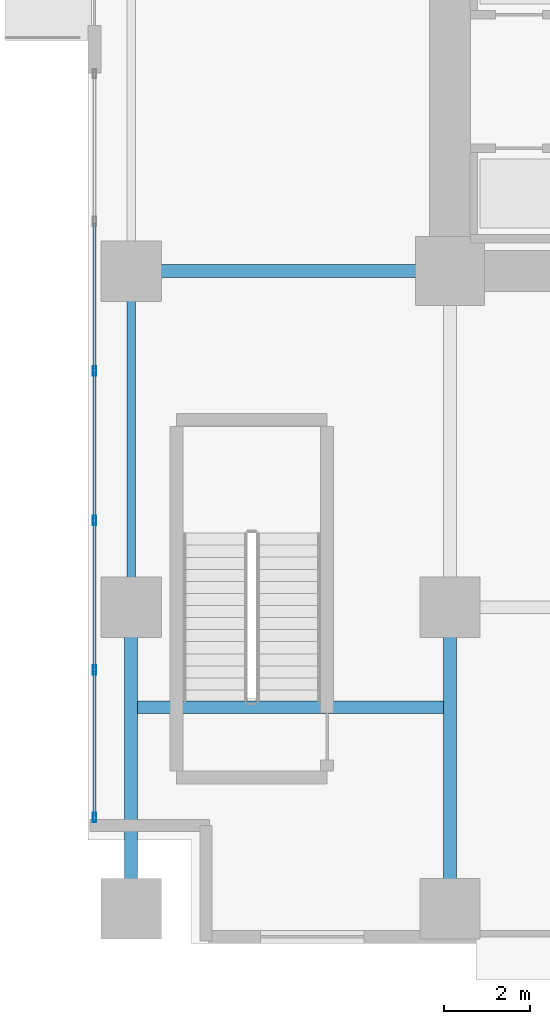
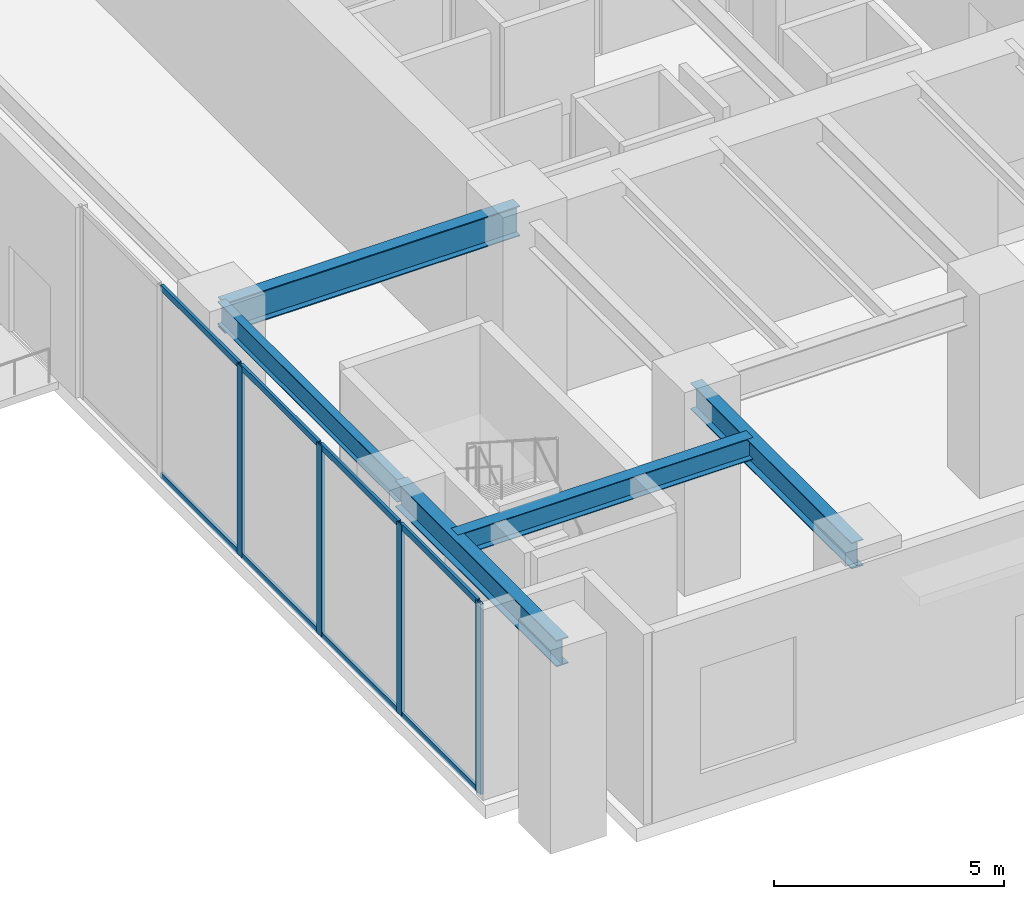
# One storey, part 2 of 28: 12 members, 5 beams, 1 element without a shape of its own.
"""IFC4 building model written with IfcOpenShell, lengths in metres."""

from ifc_helpers import new_model, si_unit, direction, frame, origin, origin_2d, place, context, subcontext, project, spatial, hollow_rectangle, i_section, extrude, source, transform, mapped, material, layer, layer_set, material_profile, profile_set, type_object, type_shapes, element, aggregate, save


model = new_model("IFC4")

# Units and contexts
model_context = context("Model", 3, precision=1e-05, world=origin(), true_north=direction((0.0, 1.0)))
body_context = subcontext(model_context, "Body", "Model", "MODEL_VIEW")
ifc_project = project(units=[si_unit("LENGTHUNIT", "METRE"), si_unit("AREAUNIT", "SQUARE_METRE"), si_unit("VOLUMEUNIT", "CUBIC_METRE"), si_unit("PLANEANGLEUNIT", "RADIAN"), si_unit("MASSUNIT", "GRAM", prefix="KILO")], contexts=[model_context])

# Site, building, storey
site_placement = place(None, origin())
site = spatial("IfcSite", under=ifc_project, at=site_placement, CompositionType="ELEMENT")
building_placement = place(site_placement, origin())
building = spatial("IfcBuilding", under=site, at=building_placement, Name="Haelvirn Gate Laboratories", CompositionType="ELEMENT")
storey_placement = place(building_placement, origin())
storey = spatial("IfcBuildingStorey", under=building, at=storey_placement, Name="L01", CompositionType="ELEMENT", Elevation=0.0)

# Beams
ifc_material_1 = material(Name="Steel SM420", Category="steel")
ifc_material_profile_1 = material_profile(ifc_material_1, i_section(OverallWidth=0.300048828125, OverallDepth=0.800048828125, WebThickness=0.013916015625, FlangeThickness=0.02587890625, at=origin_2d()), Name="H-800x300x14x26")
ifc_profile_set_1 = profile_set([ifc_material_profile_1], Name="Steel SM420")
beam_type_1 = type_object("IfcBeamType", Name="BM-G-800", PredefinedType="BEAM", material=ifc_profile_set_1)
shared_shape_1 = source(origin(), body_context, "Body", "SweptSolid", [
    extrude(i_section(OverallWidth=0.300048828125, OverallDepth=0.800048828125, WebThickness=0.013916015625, FlangeThickness=0.02587890625, at=origin_2d()), origin(), (0.0, 0.0, 1.0), 7.39990234375),
])
type_shapes(beam_type_1, [shared_shape_1])
beam_1_placement = place(storey_placement, frame((0.0, 14.800048828125, 4.64990234375), z_axis=(1.0, 0.0, 0.0), x_axis=(0.0, 1.0, 0.0)))
element("IfcBeam", 1, at=beam_1_placement, inside=storey, type_object=beam_type_1, Name="L01 Primary Girder Y14.8 (0.0-7.4)", PredefinedType="BEAM", context=body_context, shape_type="MappedRepresentation", body=[
    mapped(shared_shape_1, transform((0.0, 0.0, 0.0), scale=1.0)),
])
ifc_material_2 = material(Name="Steel SM355", Category="steel")
ifc_material_profile_2 = material_profile(ifc_material_2, i_section(OverallWidth=0.199951171875, OverallDepth=0.60009765625, WebThickness=0.010986328125, FlangeThickness=0.01708984375, at=origin_2d()), Name="H-600x200x11x17")
ifc_profile_set_2 = profile_set([ifc_material_profile_2], Name="Steel SM355")
beam_type_2 = type_object("IfcBeamType", Name="BM-SP-600", PredefinedType="SPANDREL", material=ifc_profile_set_2)
shared_shape_2 = source(origin(), body_context, "Body", "SweptSolid", [
    extrude(i_section(OverallWidth=0.199951171875, OverallDepth=0.60009765625, WebThickness=0.010986328125, FlangeThickness=0.01708984375, at=origin_2d()), origin(), (0.0, 0.0, 1.0), 7.800048828125),
])
type_shapes(beam_type_2, [shared_shape_2])
beam_2_placement = place(storey_placement, frame((0.0, 7.0, 4.75), z_axis=(0.0, 1.0, 0.0), x_axis=(-1.0, 0.0, 0.0)))
element("IfcBeam", 2, at=beam_2_placement, inside=storey, type_object=beam_type_2, Name="L01 Perimeter Spandrel X0.0 (7.0-14.8)", PredefinedType="SPANDREL", context=body_context, shape_type="MappedRepresentation", body=[
    mapped(shared_shape_2, transform((0.0, 0.0, 0.0), scale=1.0)),
])
ifc_material_profile_3 = material_profile(ifc_material_2, i_section(OverallWidth=0.300048828125, OverallDepth=0.699951171875, WebThickness=0.012939453125, FlangeThickness=0.02392578125, at=origin_2d()), Name="H-700x300x13x24")
ifc_profile_set_3 = profile_set([ifc_material_profile_3], Name="Steel SM355")
beam_type_3 = type_object("IfcBeamType", Name="BM-G-700", PredefinedType="BEAM", material=ifc_profile_set_3)
shared_shape_3 = source(origin(), body_context, "Body", "SweptSolid", [
    extrude(i_section(OverallWidth=0.300048828125, OverallDepth=0.699951171875, WebThickness=0.012939453125, FlangeThickness=0.02392578125, at=origin_2d()), origin(), (0.0, 0.0, 1.0), 7.0),
])
type_shapes(beam_type_3, [shared_shape_3])
for number, where, z_axis, x_axis, name in (
    (3, (0.0, 0.0, 4.699951171875), (0.0, 1.0, 0.0), (-1.0, 0.0, 0.0), "L01 Stair ST3 West Trimmer Girder"),
    (4, (7.39990234375, 0.0, 4.699951171875), (0.0, 1.0, 0.0), (-1.0, 0.0, 0.0), "L01 Stair ST3 East Trimmer Girder"),
):
    element("IfcBeam", number, at=place(storey_placement, frame(where, z_axis=z_axis, x_axis=x_axis)), inside=storey, type_object=beam_type_3, Name=name, PredefinedType="BEAM", context=body_context, shape_type="MappedRepresentation", body=[
        mapped(shared_shape_3, transform((0.0, 0.0, 0.0), scale=1.0)),
    ])
ifc_material_profile_4 = material_profile(ifc_material_2, i_section(OverallWidth=0.300048828125, OverallDepth=0.587890625, WebThickness=0.011962890625, FlangeThickness=0.02001953125, at=origin_2d()), Name="H-588x300x12x20")
ifc_profile_set_4 = profile_set([ifc_material_profile_4], Name="Steel SM355")
beam_type_4 = type_object("IfcBeamType", Name="BM-G-588", PredefinedType="BEAM", material=ifc_profile_set_4)
shared_shape_4 = source(origin(), body_context, "Body", "SweptSolid", [
    extrude(i_section(OverallWidth=0.300048828125, OverallDepth=0.587890625, WebThickness=0.011962890625, FlangeThickness=0.02001953125, at=origin_2d()), origin(), (0.0, 0.0, 1.0), 7.39990234375),
])
type_shapes(beam_type_4, [shared_shape_4])
beam_3_placement = place(storey_placement, frame((0.0, 4.679931640625, 4.756103515625), z_axis=(1.0, 0.0, 0.0), x_axis=(0.0, 1.0, 0.0)))
element("IfcBeam", 5, at=beam_3_placement, inside=storey, type_object=beam_type_4, Name="L01 Stair ST3 Landing Header", PredefinedType="BEAM", context=body_context, shape_type="MappedRepresentation", body=[
    mapped(shared_shape_4, transform((0.0, 0.0, 0.0), scale=1.0)),
])

# Curtain wall, members
ifc_material_3 = material(Name="Anodised bronze unitised aluminium & triple low-E glass", Category="aluminium")
ifc_layer = layer(ifc_material_3, 0.18798828125, Name="CW-SYS-1")
ifc_layer_set = layer_set([ifc_layer], Name="Anodised bronze unitised aluminium & triple low-E glass")
curtain_wall_type = type_object("IfcCurtainWallType", Name="CW-SYS-1", PredefinedType="NOTDEFINED", material=ifc_layer_set)
curtain_wall_placement = place(storey_placement, origin())
curtain_wall = element("IfcCurtainWall", 6, at=curtain_wall_placement, inside=storey, type_object=curtain_wall_type, Name="L01 Unitised Curtain Wall CW-L01-WS", PredefinedType="NOTDEFINED")
ifc_material_4 = material(Name="Extruded aluminium 6063-T6 (anodised bronze)", Category="aluminium")
ifc_material_profile_5 = material_profile(ifc_material_4, hollow_rectangle(XDim=0.080078125, YDim=0.219970703125, WallThickness=0.006103515625, at=origin_2d()), Name="CWM-220x80x6")
ifc_profile_set_5 = profile_set([ifc_material_profile_5], Name="Extruded aluminium 6063-T6 (anodised bronze)")
member_type_1 = type_object("IfcMemberType", Name="CWM-T220", PredefinedType="MULLION", material=ifc_profile_set_5)
shared_shape_5 = source(origin(), body_context, "Body", "SweptSolid", [
    extrude(hollow_rectangle(XDim=0.080078125, YDim=0.219970703125, WallThickness=0.006103515625, at=origin_2d()), origin(), (0.0, 0.0, 1.0), 5.050048828125),
])
type_shapes(member_type_1, [shared_shape_5])
member_1_placement = place(storey_placement, frame((-0.85009765625, 2.1201171875, 0.0), z_axis=(0.0, 0.0, 1.0), x_axis=(-1.0, 0.0, 0.0)))
member_1 = element("IfcMember", 7, at=member_1_placement, type_object=member_type_1, Name="CW1 mullion 1", PredefinedType="MULLION", context=body_context, shape_type="MappedRepresentation", body=[
    mapped(shared_shape_5, transform((0.0, 0.0, 0.0), scale=1.0)),
])
member_2_placement = place(storey_placement, frame((-0.85009765625, 5.548095703125, 0.0), z_axis=(0.0, 0.0, 1.0), x_axis=(-1.0, 0.0, 0.0)))
member_2 = element("IfcMember", 8, at=member_2_placement, type_object=member_type_1, Name="CW1 mullion 2", PredefinedType="MULLION", context=body_context, shape_type="MappedRepresentation", body=[
    mapped(shared_shape_5, transform((0.0, 0.0, 0.0), scale=1.0)),
])
member_3_placement = place(storey_placement, frame((-0.85009765625, 9.01611328125, 0.0), z_axis=(0.0, 0.0, 1.0), x_axis=(-1.0, 0.0, 0.0)))
member_3 = element("IfcMember", 9, at=member_3_placement, type_object=member_type_1, Name="CW1 mullion 3", PredefinedType="MULLION", context=body_context, shape_type="MappedRepresentation", body=[
    mapped(shared_shape_5, transform((0.0, 0.0, 0.0), scale=1.0)),
])
member_4_placement = place(storey_placement, frame((-0.85009765625, 12.48388671875, 0.0), z_axis=(0.0, 0.0, 1.0), x_axis=(-1.0, 0.0, 0.0)))
member_4 = element("IfcMember", 10, at=member_4_placement, type_object=member_type_1, Name="CW1 mullion 4", PredefinedType="MULLION", context=body_context, shape_type="MappedRepresentation", body=[
    mapped(shared_shape_5, transform((0.0, 0.0, 0.0), scale=1.0)),
])
ifc_material_profile_6 = material_profile(ifc_material_4, hollow_rectangle(XDim=0.070068359375, YDim=0.159912109375, WallThickness=0.0048828125, at=origin_2d()), Name="CWT-160x70x5")
ifc_profile_set_6 = profile_set([ifc_material_profile_6], Name="Extruded aluminium 6063-T6 (anodised bronze)")
member_type_2 = type_object("IfcMemberType", Name="CWT-T160", PredefinedType="USERDEFINED", material=ifc_profile_set_6)
shared_shape_6 = source(origin(), body_context, "Body", "SweptSolid", [
    extrude(hollow_rectangle(XDim=0.070068359375, YDim=0.159912109375, WallThickness=0.0048828125, at=origin_2d()), origin(), (0.0, 0.0, 1.0), 3.34814453125),
])
member_5_placement = place(storey_placement, frame((-0.85009765625, 2.159912109375, 0.034912109375), z_axis=(0.0, 1.0, 0.0), x_axis=(-1.0, 0.0, 0.0)))
member_5 = element("IfcMember", 11, at=member_5_placement, type_object=member_type_2, Name="CW1 transom 1.1", ObjectType="TRANSOM", PredefinedType="USERDEFINED", context=body_context, shape_type="MappedRepresentation", body=[
    mapped(shared_shape_6, transform((0.0, 0.0, 0.0), scale=1.0)),
])
member_6_placement = place(storey_placement, frame((-0.85009765625, 2.159912109375, 5.014892578125), z_axis=(0.0, 1.0, 0.0), x_axis=(-1.0, 0.0, 0.0)))
member_6 = element("IfcMember", 12, at=member_6_placement, type_object=member_type_2, Name="CW1 transom 1.2", ObjectType="TRANSOM", PredefinedType="USERDEFINED", context=body_context, shape_type="MappedRepresentation", body=[
    mapped(shared_shape_6, transform((0.0, 0.0, 0.0), scale=1.0)),
])
shared_shape_7 = source(origin(), body_context, "Body", "SweptSolid", [
    extrude(hollow_rectangle(XDim=0.070068359375, YDim=0.159912109375, WallThickness=0.0048828125, at=origin_2d()), origin(), (0.0, 0.0, 1.0), 3.38818359375),
])
type_shapes(member_type_2, [shared_shape_6, shared_shape_7])
member_7_placement = place(storey_placement, frame((-0.85009765625, 5.587890625, 0.034912109375), z_axis=(0.0, 1.0, 0.0), x_axis=(-1.0, 0.0, 0.0)))
member_7 = element("IfcMember", 13, at=member_7_placement, type_object=member_type_2, Name="CW1 transom 2.1", ObjectType="TRANSOM", PredefinedType="USERDEFINED", context=body_context, shape_type="MappedRepresentation", body=[
    mapped(shared_shape_7, transform((0.0, 0.0, 0.0), scale=1.0)),
])
member_8_placement = place(storey_placement, frame((-0.85009765625, 5.587890625, 5.014892578125), z_axis=(0.0, 1.0, 0.0), x_axis=(-1.0, 0.0, 0.0)))
member_8 = element("IfcMember", 14, at=member_8_placement, type_object=member_type_2, Name="CW1 transom 2.2", ObjectType="TRANSOM", PredefinedType="USERDEFINED", context=body_context, shape_type="MappedRepresentation", body=[
    mapped(shared_shape_7, transform((0.0, 0.0, 0.0), scale=1.0)),
])
member_9_placement = place(storey_placement, frame((-0.85009765625, 9.055908203125, 0.034912109375), z_axis=(0.0, 1.0, 0.0), x_axis=(-1.0, 0.0, 0.0)))
member_9 = element("IfcMember", 15, at=member_9_placement, type_object=member_type_2, Name="CW1 transom 3.1", ObjectType="TRANSOM", PredefinedType="USERDEFINED", context=body_context, shape_type="MappedRepresentation", body=[
    mapped(shared_shape_7, transform((0.0, 0.0, 0.0), scale=1.0)),
])
member_10_placement = place(storey_placement, frame((-0.85009765625, 9.055908203125, 5.014892578125), z_axis=(0.0, 1.0, 0.0), x_axis=(-1.0, 0.0, 0.0)))
member_10 = element("IfcMember", 16, at=member_10_placement, type_object=member_type_2, Name="CW1 transom 3.2", ObjectType="TRANSOM", PredefinedType="USERDEFINED", context=body_context, shape_type="MappedRepresentation", body=[
    mapped(shared_shape_7, transform((0.0, 0.0, 0.0), scale=1.0)),
])
member_11_placement = place(storey_placement, frame((-0.85009765625, 12.52392578125, 0.034912109375), z_axis=(0.0, 1.0, 0.0), x_axis=(-1.0, 0.0, 0.0)))
member_11 = element("IfcMember", 17, at=member_11_placement, type_object=member_type_2, Name="CW1 transom 4.1", ObjectType="TRANSOM", PredefinedType="USERDEFINED", context=body_context, shape_type="MappedRepresentation", body=[
    mapped(shared_shape_7, transform((0.0, 0.0, 0.0), scale=1.0)),
])
member_12_placement = place(storey_placement, frame((-0.85009765625, 12.52392578125, 5.014892578125), z_axis=(0.0, 1.0, 0.0), x_axis=(-1.0, 0.0, 0.0)))
member_12 = element("IfcMember", 18, at=member_12_placement, type_object=member_type_2, Name="CW1 transom 4.2", ObjectType="TRANSOM", PredefinedType="USERDEFINED", context=body_context, shape_type="MappedRepresentation", body=[
    mapped(shared_shape_7, transform((0.0, 0.0, 0.0), scale=1.0)),
])
aggregate(curtain_wall, [member_1, member_2, member_3, member_4, member_5, member_6, member_7, member_8, member_9, member_10, member_11, member_12])

save(model, "model.ifc")
